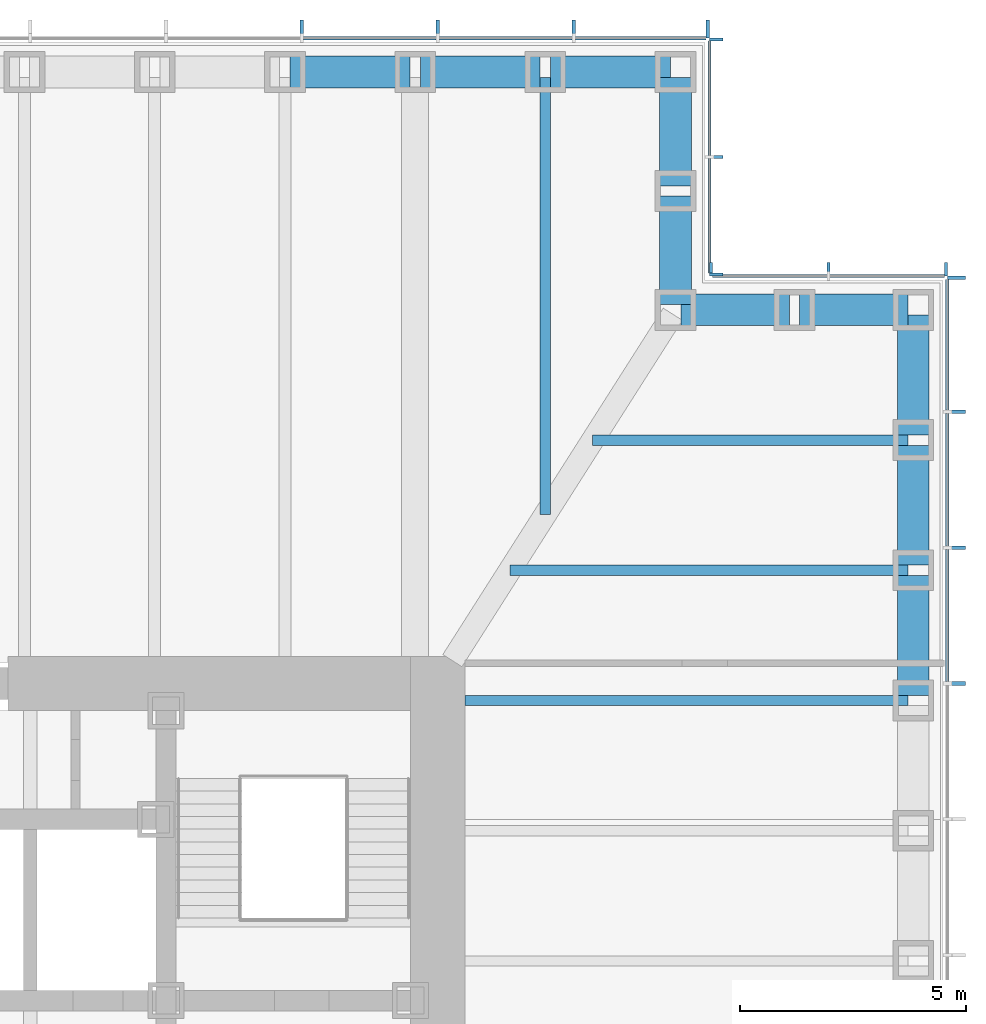
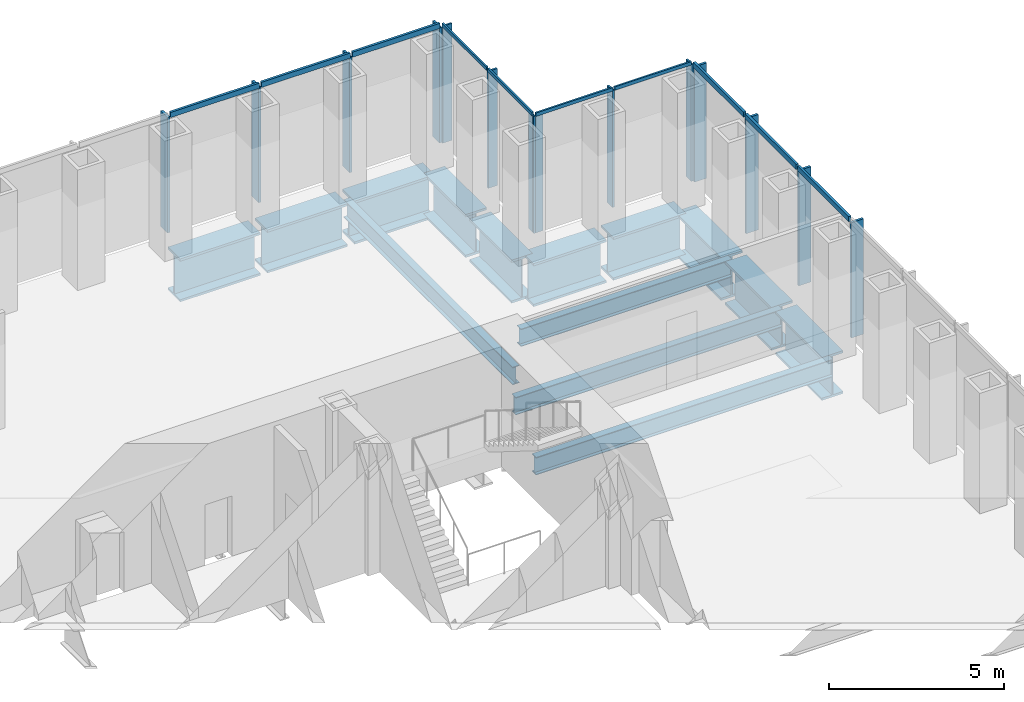
# One storey, part 6 of 16: 24 members, 14 beams, 4 elements without a shape of their own.
"""IFC4 building model written with IfcOpenShell, lengths in metres."""

from ifc_helpers import new_model, si_unit, direction, frame, origin, origin_2d, place, context, subcontext, project, spatial, rectangle, i_section, extrude, material, material_profile, profile_set, type_object, element, aggregate, save


model = new_model("IFC4")

# Units and contexts
model_context = context("Model", 3, precision=1e-05, world=origin(), true_north=direction((0.0, 1.0)))
body_context = subcontext(model_context, "Body", "Model", "MODEL_VIEW")
ifc_project = project(units=[si_unit("LENGTHUNIT", "METRE"), si_unit("AREAUNIT", "SQUARE_METRE"), si_unit("VOLUMEUNIT", "CUBIC_METRE"), si_unit("PLANEANGLEUNIT", "RADIAN"), si_unit("MASSUNIT", "GRAM", prefix="KILO")], contexts=[model_context])

# Site, building, storey
site_placement = place(None, origin())
site = spatial("IfcSite", under=ifc_project, at=site_placement, CompositionType="ELEMENT")
building_placement = place(site_placement, origin())
building = spatial("IfcBuilding", under=site, at=building_placement, Name="Daluyong Arena Tower", CompositionType="ELEMENT")
storey_placement = place(building_placement, frame((0.0, 0.0, 141.699951171875)))
storey = spatial("IfcBuildingStorey", under=building, at=storey_placement, Name="L31", CompositionType="ELEMENT", Elevation=141.699951171875)

# Curtain wall, members
ifc_material_1 = material(Name="Bronze anodised aluminium and glass", Category="aluminium")
curtain_wall_type_1 = type_object("IfcCurtainWallType", Name="Curtain wall CW2", PredefinedType="USERDEFINED", material=ifc_material_1)
curtain_wall_1_placement = place(storey_placement, origin())
curtain_wall_1 = element("IfcCurtainWall", 1, at=curtain_wall_1_placement, inside=storey, type_object=curtain_wall_type_1, Name="curtain wall L31 E", ObjectType="UNITISED CURTAIN WALL", PredefinedType="USERDEFINED")
ifc_material_2 = material(Name="Bronze anodised aluminium fin", Category="aluminium")
ifc_material_profile_1 = material_profile(ifc_material_2, rectangle(XDim=0.39990234375, YDim=0.080078125, at=origin_2d()))
ifc_profile_set_1 = profile_set([ifc_material_profile_1], Name="Bronze anodised aluminium fin")
member_type_1 = type_object("IfcMemberType", Name="CW2 bronze fin 400x80", PredefinedType="MULLION", material=ifc_profile_set_1)
member_1_placement = place(storey_placement, frame((79.449951171875, 89.0, 0.0), z_axis=(0.0, 0.0, 1.0), x_axis=(-1.0, 0.0, 0.0)))
member_1 = element("IfcMember", 2, at=member_1_placement, type_object=member_type_1, Name="curtain wall L31 E fin 10", PredefinedType="MULLION", context=body_context, shape_type="SweptSolid", body=[
    extrude(rectangle(XDim=0.39990234375, YDim=0.080078125, at=origin_2d()), origin(), (0.0, 0.0, 1.0), 4.02001953125),
])
member_2_placement = place(storey_placement, frame((79.449951171875, 92.0, 0.0), z_axis=(0.0, 0.0, 1.0), x_axis=(-1.0, 0.0, 0.0)))
member_2 = element("IfcMember", 3, at=member_2_placement, type_object=member_type_1, Name="curtain wall L31 E fin 11", PredefinedType="MULLION", context=body_context, shape_type="SweptSolid", body=[
    extrude(rectangle(XDim=0.39990234375, YDim=0.080078125, at=origin_2d()), origin(), (0.0, 0.0, 1.0), 4.02001953125),
])
member_3_placement = place(storey_placement, frame((79.449951171875, 95.0, 0.0), z_axis=(0.0, 0.0, 1.0), x_axis=(-1.0, 0.0, 0.0)))
member_3 = element("IfcMember", 4, at=member_3_placement, type_object=member_type_1, Name="curtain wall L31 E fin 12", PredefinedType="MULLION", context=body_context, shape_type="SweptSolid", body=[
    extrude(rectangle(XDim=0.39990234375, YDim=0.080078125, at=origin_2d()), origin(), (0.0, 0.0, 1.0), 4.02001953125),
])
member_4_placement = place(storey_placement, frame((79.449951171875, 97.9599609375, 0.0), z_axis=(0.0, 0.0, 1.0), x_axis=(-1.0, 0.0, 0.0)))
member_4 = element("IfcMember", 5, at=member_4_placement, type_object=member_type_1, Name="curtain wall L31 E fin 13", PredefinedType="MULLION", context=body_context, shape_type="SweptSolid", body=[
    extrude(rectangle(XDim=0.39990234375, YDim=0.080078125, at=origin_2d()), origin(), (0.0, 0.0, 1.0), 4.02001953125),
])

curtain_wall_2_placement = place(storey_placement, origin())
curtain_wall_2 = element("IfcCurtainWall", 6, at=curtain_wall_2_placement, inside=storey, type_object=curtain_wall_type_1, Name="curtain wall L31 N", ObjectType="UNITISED CURTAIN WALL", PredefinedType="USERDEFINED")
member_5_placement = place(storey_placement, frame((73.9599609375, 103.449951171875, 0.0), z_axis=(0.0, 0.0, 1.0), x_axis=(0.0, -1.0, 0.0)))
member_5 = element("IfcMember", 7, at=member_5_placement, type_object=member_type_1, Name="curtain wall L31 N fin 1", PredefinedType="MULLION", context=body_context, shape_type="SweptSolid", body=[
    extrude(rectangle(XDim=0.39990234375, YDim=0.080078125, at=origin_2d()), origin(), (0.0, 0.0, 1.0), 4.02001953125),
])
member_6_placement = place(storey_placement, frame((71.0, 103.449951171875, 0.0), z_axis=(0.0, 0.0, 1.0), x_axis=(0.0, -1.0, 0.0)))
member_6 = element("IfcMember", 8, at=member_6_placement, type_object=member_type_1, Name="curtain wall L31 N fin 2", PredefinedType="MULLION", context=body_context, shape_type="SweptSolid", body=[
    extrude(rectangle(XDim=0.39990234375, YDim=0.080078125, at=origin_2d()), origin(), (0.0, 0.0, 1.0), 4.02001953125),
])
member_7_placement = place(storey_placement, frame((68.0, 103.449951171875, 0.0), z_axis=(0.0, 0.0, 1.0), x_axis=(0.0, -1.0, 0.0)))
member_7 = element("IfcMember", 9, at=member_7_placement, type_object=member_type_1, Name="curtain wall L31 N fin 3", PredefinedType="MULLION", context=body_context, shape_type="SweptSolid", body=[
    extrude(rectangle(XDim=0.39990234375, YDim=0.080078125, at=origin_2d()), origin(), (0.0, 0.0, 1.0), 4.02001953125),
])
member_8_placement = place(storey_placement, frame((65.0, 103.449951171875, 0.0), z_axis=(0.0, 0.0, 1.0), x_axis=(0.0, -1.0, 0.0)))
member_8 = element("IfcMember", 10, at=member_8_placement, type_object=member_type_1, Name="curtain wall L31 N fin 4", PredefinedType="MULLION", context=body_context, shape_type="SweptSolid", body=[
    extrude(rectangle(XDim=0.39990234375, YDim=0.080078125, at=origin_2d()), origin(), (0.0, 0.0, 1.0), 4.02001953125),
])

# Member
ifc_material_3 = material(Name="Bronze anodised aluminium", Category="aluminium")
ifc_material_profile_2 = material_profile(ifc_material_3, rectangle(XDim=0.080078125, YDim=0.179931640625, at=origin_2d()))
ifc_profile_set_2 = profile_set([ifc_material_profile_2], Name="Bronze anodised aluminium")
member_type_2 = type_object("IfcMemberType", Name="CW2 stack transom 180x80", PredefinedType="USERDEFINED", material=ifc_profile_set_2)
member_9_placement = place(storey_placement, frame((79.25, 89.0400390625, 4.110107421875), z_axis=(0.0, 1.0, 0.0), x_axis=(-1.0, 0.0, 0.0)))
member_9 = element("IfcMember", 11, at=member_9_placement, type_object=member_type_2, Name="curtain wall L31 E transom 10", ObjectType="TRANSOM", PredefinedType="USERDEFINED", context=body_context, shape_type="SweptSolid", body=[
    extrude(rectangle(XDim=0.080078125, YDim=0.179931640625, at=origin_2d()), origin(), (0.0, 0.0, 1.0), 2.919921875),
])

member_10_placement = place(storey_placement, frame((79.25, 92.0400390625, 4.110107421875), z_axis=(0.0, 1.0, 0.0), x_axis=(-1.0, 0.0, 0.0)))
member_10 = element("IfcMember", 12, at=member_10_placement, type_object=member_type_2, Name="curtain wall L31 E transom 11", ObjectType="TRANSOM", PredefinedType="USERDEFINED", context=body_context, shape_type="SweptSolid", body=[
    extrude(rectangle(XDim=0.080078125, YDim=0.179931640625, at=origin_2d()), origin(), (0.0, 0.0, 1.0), 2.919921875),
])

member_11_placement = place(storey_placement, frame((79.25, 95.0400390625, 4.110107421875), z_axis=(0.0, 1.0, 0.0), x_axis=(-1.0, 0.0, 0.0)))
member_11 = element("IfcMember", 13, at=member_11_placement, type_object=member_type_2, Name="curtain wall L31 E transom 12", ObjectType="TRANSOM", PredefinedType="USERDEFINED", context=body_context, shape_type="SweptSolid", body=[
    extrude(rectangle(XDim=0.080078125, YDim=0.179931640625, at=origin_2d()), origin(), (0.0, 0.0, 1.0), 2.8798828125),
])

aggregate(curtain_wall_1, [member_1, member_2, member_3, member_4, member_9, member_10, member_11])

member_12_placement = place(storey_placement, frame((73.919921875, 103.25, 4.110107421875), z_axis=(-1.0, 0.0, 0.0), x_axis=(0.0, -1.0, 0.0)))
member_12 = element("IfcMember", 14, at=member_12_placement, type_object=member_type_2, Name="curtain wall L31 N transom 1", ObjectType="TRANSOM", PredefinedType="USERDEFINED", context=body_context, shape_type="SweptSolid", body=[
    extrude(rectangle(XDim=0.080078125, YDim=0.179931640625, at=origin_2d()), origin(), (0.0, 0.0, 1.0), 2.8798828125),
])

member_13_placement = place(storey_placement, frame((70.9599609375, 103.25, 4.110107421875), z_axis=(-1.0, 0.0, 0.0), x_axis=(0.0, -1.0, 0.0)))
member_13 = element("IfcMember", 15, at=member_13_placement, type_object=member_type_2, Name="curtain wall L31 N transom 2", ObjectType="TRANSOM", PredefinedType="USERDEFINED", context=body_context, shape_type="SweptSolid", body=[
    extrude(rectangle(XDim=0.080078125, YDim=0.179931640625, at=origin_2d()), origin(), (0.0, 0.0, 1.0), 2.919921875),
])

member_14_placement = place(storey_placement, frame((67.9599609375, 103.25, 4.110107421875), z_axis=(-1.0, 0.0, 0.0), x_axis=(0.0, -1.0, 0.0)))
member_14 = element("IfcMember", 16, at=member_14_placement, type_object=member_type_2, Name="curtain wall L31 N transom 3", ObjectType="TRANSOM", PredefinedType="USERDEFINED", context=body_context, shape_type="SweptSolid", body=[
    extrude(rectangle(XDim=0.080078125, YDim=0.179931640625, at=origin_2d()), origin(), (0.0, 0.0, 1.0), 2.919921875),
])

aggregate(curtain_wall_2, [member_5, member_6, member_7, member_8, member_12, member_13, member_14])

# Curtain wall, members
ifc_material_4 = material(Name="Bronze anodised aluminium and glass", Category="aluminium")
curtain_wall_type_2 = type_object("IfcCurtainWallType", Name="Curtain wall CW7", PredefinedType="USERDEFINED", material=ifc_material_4)
curtain_wall_3_placement = place(storey_placement, origin())
curtain_wall_3 = element("IfcCurtainWall", 17, at=curtain_wall_3_placement, inside=storey, type_object=curtain_wall_type_2, Name="curtain wall L31 NE-N", ObjectType="UNITISED CURTAIN WALL", PredefinedType="USERDEFINED")
ifc_material_5 = material(Name="Bronze anodised aluminium fin", Category="aluminium")
ifc_material_profile_3 = material_profile(ifc_material_5, rectangle(XDim=0.300048828125, YDim=0.06005859375, at=origin_2d()))
ifc_profile_set_3 = profile_set([ifc_material_profile_3], Name="Bronze anodised aluminium fin")
member_type_3 = type_object("IfcMemberType", Name="CW7 bronze fin 300x60", PredefinedType="MULLION", material=ifc_profile_set_3)
member_15_placement = place(storey_placement, frame((79.219970703125, 98.14990234375, 0.0), z_axis=(0.0, 0.0, 1.0), x_axis=(0.0, -1.0, 0.0)))
member_15 = element("IfcMember", 18, at=member_15_placement, type_object=member_type_3, Name="curtain wall L31 NE-N fin 1", PredefinedType="MULLION", context=body_context, shape_type="SweptSolid", body=[
    extrude(rectangle(XDim=0.300048828125, YDim=0.06005859375, at=origin_2d()), origin(), (0.0, 0.0, 1.0), 4.080078125),
])
member_16_placement = place(storey_placement, frame((76.625, 98.14990234375, 0.0), z_axis=(0.0, 0.0, 1.0), x_axis=(0.0, -1.0, 0.0)))
member_16 = element("IfcMember", 19, at=member_16_placement, type_object=member_type_3, Name="curtain wall L31 NE-N fin 2", PredefinedType="MULLION", context=body_context, shape_type="SweptSolid", body=[
    extrude(rectangle(XDim=0.300048828125, YDim=0.06005859375, at=origin_2d()), origin(), (0.0, 0.0, 1.0), 4.080078125),
])
member_17_placement = place(storey_placement, frame((74.030029296875, 98.14990234375, 0.0), z_axis=(0.0, 0.0, 1.0), x_axis=(0.0, -1.0, 0.0)))
member_17 = element("IfcMember", 20, at=member_17_placement, type_object=member_type_3, Name="curtain wall L31 NE-N fin 3", PredefinedType="MULLION", context=body_context, shape_type="SweptSolid", body=[
    extrude(rectangle(XDim=0.300048828125, YDim=0.06005859375, at=origin_2d()), origin(), (0.0, 0.0, 1.0), 4.080078125),
])

curtain_wall_4_placement = place(storey_placement, origin())
curtain_wall_4 = element("IfcCurtainWall", 21, at=curtain_wall_4_placement, inside=storey, type_object=curtain_wall_type_2, Name="curtain wall L31 NE-E", ObjectType="UNITISED CURTAIN WALL", PredefinedType="USERDEFINED")
member_18_placement = place(storey_placement, frame((74.14990234375, 98.030029296875, 0.0), z_axis=(0.0, 0.0, 1.0), x_axis=(-1.0, 0.0, 0.0)))
member_18 = element("IfcMember", 22, at=member_18_placement, type_object=member_type_3, Name="curtain wall L31 NE-E fin 1", PredefinedType="MULLION", context=body_context, shape_type="SweptSolid", body=[
    extrude(rectangle(XDim=0.300048828125, YDim=0.06005859375, at=origin_2d()), origin(), (0.0, 0.0, 1.0), 4.080078125),
])
member_19_placement = place(storey_placement, frame((74.14990234375, 100.625, 0.0), z_axis=(0.0, 0.0, 1.0), x_axis=(-1.0, 0.0, 0.0)))
member_19 = element("IfcMember", 23, at=member_19_placement, type_object=member_type_3, Name="curtain wall L31 NE-E fin 2", PredefinedType="MULLION", context=body_context, shape_type="SweptSolid", body=[
    extrude(rectangle(XDim=0.300048828125, YDim=0.06005859375, at=origin_2d()), origin(), (0.0, 0.0, 1.0), 4.080078125),
])
member_20_placement = place(storey_placement, frame((74.14990234375, 103.219970703125, 0.0), z_axis=(0.0, 0.0, 1.0), x_axis=(-1.0, 0.0, 0.0)))
member_20 = element("IfcMember", 24, at=member_20_placement, type_object=member_type_3, Name="curtain wall L31 NE-E fin 3", PredefinedType="MULLION", context=body_context, shape_type="SweptSolid", body=[
    extrude(rectangle(XDim=0.300048828125, YDim=0.06005859375, at=origin_2d()), origin(), (0.0, 0.0, 1.0), 4.080078125),
])

# Member
ifc_material_6 = material(Name="Bronze anodised aluminium", Category="aluminium")
ifc_material_profile_4 = material_profile(ifc_material_6, rectangle(XDim=0.06005859375, YDim=0.1201171875, at=origin_2d()))
ifc_profile_set_4 = profile_set([ifc_material_profile_4], Name="Bronze anodised aluminium")
member_type_4 = type_object("IfcMemberType", Name="CW7 stack transom 120x60", PredefinedType="USERDEFINED", material=ifc_profile_set_4)
member_21_placement = place(storey_placement, frame((79.18994140625, 98.0, 4.14013671875), z_axis=(-1.0, 0.0, 0.0), x_axis=(0.0, -1.0, 0.0)))
member_21 = element("IfcMember", 25, at=member_21_placement, type_object=member_type_4, Name="curtain wall L31 NE-N transom 1", ObjectType="TRANSOM", PredefinedType="USERDEFINED", context=body_context, shape_type="SweptSolid", body=[
    extrude(rectangle(XDim=0.06005859375, YDim=0.1201171875, at=origin_2d()), origin(), (0.0, 0.0, 1.0), 2.534912109375),
])

member_22_placement = place(storey_placement, frame((76.594970703125, 98.0, 4.14013671875), z_axis=(-1.0, 0.0, 0.0), x_axis=(0.0, -1.0, 0.0)))
member_22 = element("IfcMember", 26, at=member_22_placement, type_object=member_type_4, Name="curtain wall L31 NE-N transom 2", ObjectType="TRANSOM", PredefinedType="USERDEFINED", context=body_context, shape_type="SweptSolid", body=[
    extrude(rectangle(XDim=0.06005859375, YDim=0.1201171875, at=origin_2d()), origin(), (0.0, 0.0, 1.0), 2.534912109375),
])

aggregate(curtain_wall_3, [member_15, member_16, member_17, member_21, member_22])

member_23_placement = place(storey_placement, frame((74.0, 98.06005859375, 4.14013671875), z_axis=(0.0, 1.0, 0.0), x_axis=(-1.0, 0.0, 0.0)))
member_23 = element("IfcMember", 27, at=member_23_placement, type_object=member_type_4, Name="curtain wall L31 NE-E transom 1", ObjectType="TRANSOM", PredefinedType="USERDEFINED", context=body_context, shape_type="SweptSolid", body=[
    extrude(rectangle(XDim=0.06005859375, YDim=0.1201171875, at=origin_2d()), origin(), (0.0, 0.0, 1.0), 2.534912109375),
])

member_24_placement = place(storey_placement, frame((74.0, 100.655029296875, 4.14013671875), z_axis=(0.0, 1.0, 0.0), x_axis=(-1.0, 0.0, 0.0)))
member_24 = element("IfcMember", 28, at=member_24_placement, type_object=member_type_4, Name="curtain wall L31 NE-E transom 2", ObjectType="TRANSOM", PredefinedType="USERDEFINED", context=body_context, shape_type="SweptSolid", body=[
    extrude(rectangle(XDim=0.06005859375, YDim=0.1201171875, at=origin_2d()), origin(), (0.0, 0.0, 1.0), 2.534912109375),
])

aggregate(curtain_wall_4, [member_18, member_19, member_20, member_23, member_24])

# Beams
ifc_material_7 = material(Name="Steel ASTM A992 Grade 50", Category="steel")
ifc_material_profile_5 = material_profile(ifc_material_7, i_section(OverallWidth=0.22900390625, OverallDepth=0.612060546875, WebThickness=0.011962890625, FlangeThickness=0.01953125, at=origin_2d()))
ifc_profile_set_5 = profile_set([ifc_material_profile_5], Name="Steel ASTM A992 Grade 50")
beam_type_1 = type_object("IfcBeamType", Name="Floor beam W24X84", PredefinedType="BEAM", material=ifc_profile_set_5)
beam_1_placement = place(storey_placement, frame((78.385009765625, 88.625, -0.466064453125), z_axis=(-1.0, 0.0, 0.0), x_axis=(0.0, -1.0, 0.0)))
element("IfcBeam", 29, at=beam_1_placement, inside=storey, type_object=beam_type_1, Name="floor beam FB3", PredefinedType="BEAM", context=body_context, shape_type="SweptSolid", body=[
    extrude(i_section(OverallWidth=0.22900390625, OverallDepth=0.612060546875, WebThickness=0.011962890625, FlangeThickness=0.01953125, at=origin_2d()), origin(), (0.0, 0.0, 1.0), 9.784912109375),
])
beam_2_placement = place(storey_placement, frame((78.385009765625, 91.5, -0.466064453125), z_axis=(-1.0, 0.0, 0.0), x_axis=(0.0, -1.0, 0.0)))
element("IfcBeam", 30, at=beam_2_placement, inside=storey, type_object=beam_type_1, Name="floor beam FB3", PredefinedType="BEAM", context=body_context, shape_type="SweptSolid", body=[
    extrude(i_section(OverallWidth=0.22900390625, OverallDepth=0.612060546875, WebThickness=0.011962890625, FlangeThickness=0.01953125, at=origin_2d()), origin(), (0.0, 0.0, 1.0), 8.794189453125),
])
beam_3_placement = place(storey_placement, frame((78.385009765625, 94.375, -0.466064453125), z_axis=(-1.0, 0.0, 0.0), x_axis=(0.0, -1.0, 0.0)))
element("IfcBeam", 31, at=beam_3_placement, inside=storey, type_object=beam_type_1, Name="floor beam FB3", PredefinedType="BEAM", context=body_context, shape_type="SweptSolid", body=[
    extrude(i_section(OverallWidth=0.22900390625, OverallDepth=0.612060546875, WebThickness=0.011962890625, FlangeThickness=0.01953125, at=origin_2d()), origin(), (0.0, 0.0, 1.0), 6.964599609375),
])
beam_4_placement = place(storey_placement, frame((70.375, 102.385009765625, -0.466064453125), z_axis=(0.0, -1.0, 0.0), x_axis=(1.0, 0.0, 0.0)))
element("IfcBeam", 32, at=beam_4_placement, inside=storey, type_object=beam_type_1, Name="floor beam FB3", PredefinedType="BEAM", context=body_context, shape_type="SweptSolid", body=[
    extrude(i_section(OverallWidth=0.22900390625, OverallDepth=0.612060546875, WebThickness=0.011962890625, FlangeThickness=0.01953125, at=origin_2d()), origin(), (0.0, 0.0, 1.0), 9.65283203125),
])
ifc_material_8 = material(Name="Steel ASTM A572 Grade 50", Category="steel")
ifc_material_profile_6 = material_profile(ifc_material_8, i_section(OverallWidth=0.699951171875, OverallDepth=1.5, WebThickness=0.04, FlangeThickness=0.08, at=origin_2d()))
ifc_profile_set_6 = profile_set([ifc_material_profile_6], Name="Steel ASTM A572 Grade 50")
beam_type_2 = type_object("IfcBeamType", Name="Spandrel Z2 PG1500X700", PredefinedType="SPANDREL", material=ifc_profile_set_6)
for number, where, z_axis, x_axis, name in (
    (33, (78.5, 88.739990234375, -0.909912109375), (0.0, 1.0, 0.0), (-1.0, 0.0, 0.0), "spandrel z2 SB6"),
    (34, (78.5, 91.614990234375, -0.909912109375), (0.0, 1.0, 0.0), (-1.0, 0.0, 0.0), "spandrel z2 SB6"),
    (35, (78.5, 94.489990234375, -0.909912109375), (0.0, 1.0, 0.0), (-1.0, 0.0, 0.0), "spandrel z2 SB6"),
):
    element("IfcBeam", number, at=place(storey_placement, frame(where, z_axis=z_axis, x_axis=x_axis)), inside=storey, type_object=beam_type_2, Name=name, PredefinedType="SPANDREL", context=body_context, shape_type="SweptSolid", body=[
        extrude(i_section(OverallWidth=0.699951171875, OverallDepth=1.5, WebThickness=0.04, FlangeThickness=0.08, at=origin_2d()), origin(), (0.0, 0.0, 1.0), 2.64501953125),
    ])
for number, where, z_axis, x_axis, name in (
    (36, (78.385009765625, 97.25, -0.909912109375), (-1.0, 0.0, 0.0), (0.0, -1.0, 0.0), "spandrel z2 SB6"),
    (37, (75.760009765625, 97.25, -0.909912109375), (-1.0, 0.0, 0.0), (0.0, -1.0, 0.0), "spandrel z2 SB6"),
    (38, (73.25, 97.364990234375, -0.909912109375), (0.0, 1.0, 0.0), (-1.0, 0.0, 0.0), "spandrel z2 SB6"),
    (39, (73.25, 99.989990234375, -0.909912109375), (0.0, 1.0, 0.0), (-1.0, 0.0, 0.0), "spandrel z2 SB6"),
):
    element("IfcBeam", number, at=place(storey_placement, frame(where, z_axis=z_axis, x_axis=x_axis)), inside=storey, type_object=beam_type_2, Name=name, PredefinedType="SPANDREL", context=body_context, shape_type="SweptSolid", body=[
        extrude(i_section(OverallWidth=0.699951171875, OverallDepth=1.5, WebThickness=0.04, FlangeThickness=0.08, at=origin_2d()), origin(), (0.0, 0.0, 1.0), 2.39501953125),
    ])
for number, where, z_axis, x_axis, name in (
    (40, (73.135009765625, 102.5, -0.909912109375), (-1.0, 0.0, 0.0), (0.0, -1.0, 0.0), "spandrel z2 SB6"),
    (41, (70.260009765625, 102.5, -0.909912109375), (-1.0, 0.0, 0.0), (0.0, -1.0, 0.0), "spandrel z2 SB6"),
    (42, (67.385009765625, 102.5, -0.909912109375), (-1.0, 0.0, 0.0), (0.0, -1.0, 0.0), "spandrel z2 SB6"),
):
    element("IfcBeam", number, at=place(storey_placement, frame(where, z_axis=z_axis, x_axis=x_axis)), inside=storey, type_object=beam_type_2, Name=name, PredefinedType="SPANDREL", context=body_context, shape_type="SweptSolid", body=[
        extrude(i_section(OverallWidth=0.699951171875, OverallDepth=1.5, WebThickness=0.04, FlangeThickness=0.08, at=origin_2d()), origin(), (0.0, 0.0, 1.0), 2.64501953125),
    ])

save(model, "model.ifc")
